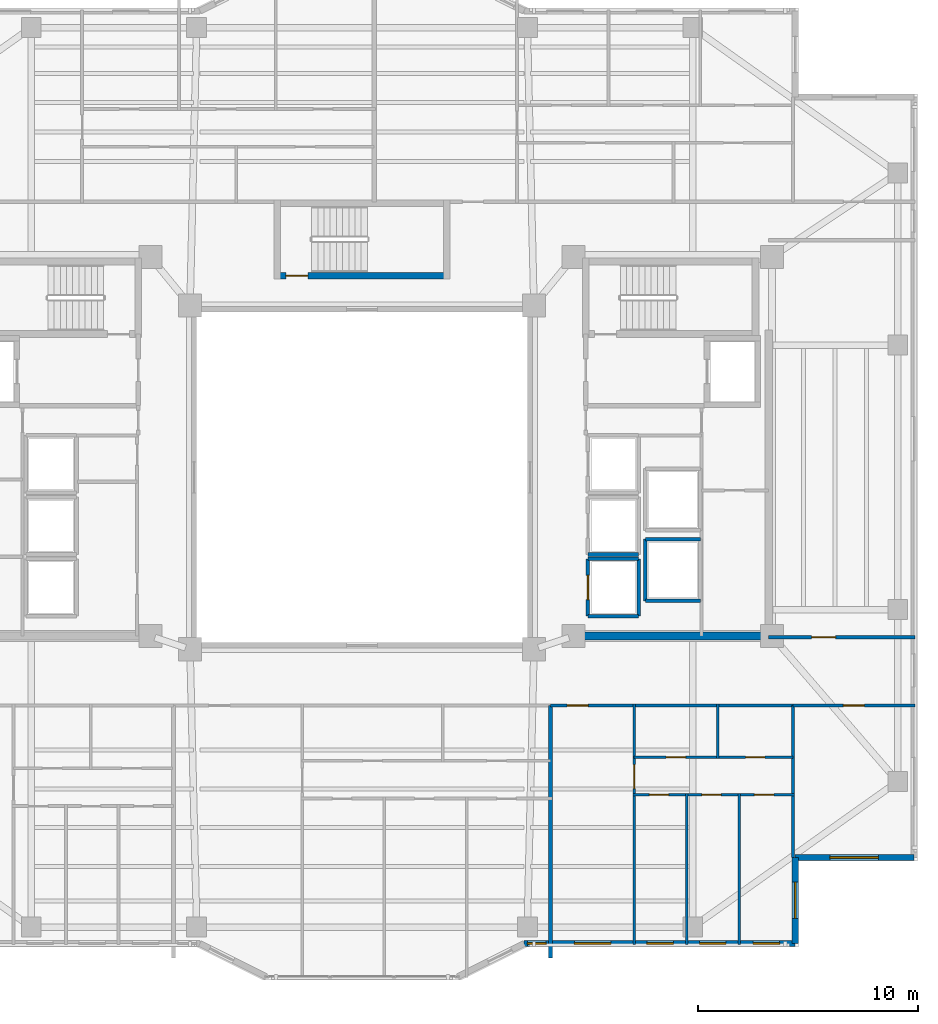
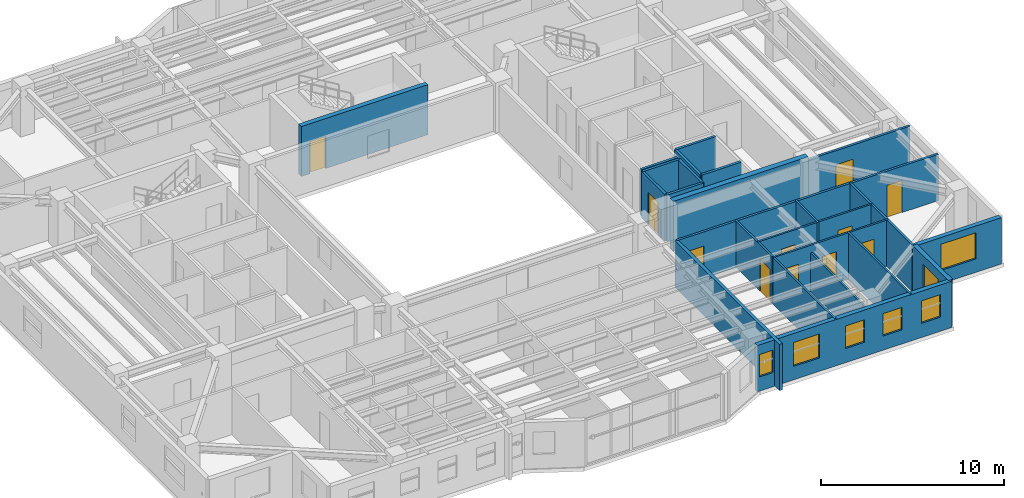
# One storey, part 8 of 16: 25 walls, 11 doors, 7 windows, 18 openings.
"""IFC4 building model written with IfcOpenShell, lengths in metres."""

import ifcopenshell
import ifcopenshell.guid

model = None  # the IFC model being written
_history = None  # IfcOwnerHistory: only IFC2X3 demands one
_inside = {}  # id of a spatial element -> (the spatial element, [elements in it])
_under = {}  # id of a project, library or spatial element -> (it, [spatial elements below it])
_declared = {}  # id of a project -> (the project, [libraries it declares])
_typed = {}  # id of a type object -> (the type object, [elements of that type])
_made_of = {}  # id of a material, layer set ... -> (it, [elements and type objects made of it])


def new_model(schema):
    """Start an empty IFC model of exactly this schema.

    Asked for "IFC4X3", IfcOpenShell would pick the latest addendum, in which some entities
    have other attributes; the version numbers below select the first issue.
    IFC2X3 requires an IfcOwnerHistory on every rooted entity: one is made here for all.
    """
    global model, _history
    if schema == "IFC4X3":
        model = ifcopenshell.file(schema_version=(4, 3, 0, 0))
    else:
        model = ifcopenshell.file(schema=schema)
    _inside.clear()
    _under.clear()
    _declared.clear()
    _typed.clear()
    _made_of.clear()
    _history = None
    if model.schema == "IFC2X3":
        org = make("IfcOrganization", Name="unknown")
        user = make(
            "IfcPersonAndOrganization",
            ThePerson=make("IfcPerson", FamilyName="unknown"),
            TheOrganization=org,
        )
        app = make(
            "IfcApplication",
            ApplicationDeveloper=org,
            Version="unknown",
            ApplicationFullName="unknown",
            ApplicationIdentifier="unknown",
        )
        _history = make(
            "IfcOwnerHistory",
            OwningUser=user,
            OwningApplication=app,
            ChangeAction="ADDED",
            CreationDate=0,
        )
    return model


def make(cls, **values):
    """One entity of the class cls with the attributes given. An attribute that is None is left unset."""
    return model.create_entity(
        cls, **{name: value for name, value in values.items() if value is not None}
    )


def rooted(cls, **values):
    """An entity with a GlobalId (a new one), such as an element, a storey or a relation."""
    return make(cls, GlobalId=ifcopenshell.guid.new(), OwnerHistory=_history, **values)


def si_unit(unit_type, name, prefix=None):
    """IfcSIUnit, for example si_unit("LENGTHUNIT", "METRE", prefix="MILLI")."""
    return make("IfcSIUnit", UnitType=unit_type, Prefix=prefix, Name=name)


def assignment(units):
    """IfcUnitAssignment: the units of a project."""
    return None if units is None else make("IfcUnitAssignment", Units=units)


def point(xyz):
    """IfcCartesianPoint."""
    return None if xyz is None else make("IfcCartesianPoint", Coordinates=xyz)


def direction(xyz):
    """IfcDirection."""
    return None if xyz is None else make("IfcDirection", DirectionRatios=xyz)


def frame(location, z_axis=None, x_axis=None):
    """IfcAxis2Placement3D, a coordinate frame: its origin and axes. An axis left out is left unset."""
    return make(
        "IfcAxis2Placement3D",
        Location=point(location),
        Axis=direction(z_axis),
        RefDirection=direction(x_axis),
    )


def frame_2d(location, x_axis=None):
    """IfcAxis2Placement2D, a coordinate frame in the plane: its origin and x axis."""
    return make(
        "IfcAxis2Placement2D", Location=point(location), RefDirection=direction(x_axis)
    )


def origin():
    """The frame at (0, 0, 0) with its axes left unset."""
    return frame((0.0, 0.0, 0.0))


def place(relative_to, where):
    """IfcLocalPlacement: puts the frame where relative to a parent placement (None: the world)."""
    return make(
        "IfcLocalPlacement", PlacementRelTo=relative_to, RelativePlacement=where
    )


def context(
    kind, dimensions, precision=None, world=None, true_north=None, identifier=None
):
    """IfcGeometricRepresentationContext, for example the 3D "Model" context."""
    return make(
        "IfcGeometricRepresentationContext",
        ContextIdentifier=identifier,
        ContextType=kind,
        CoordinateSpaceDimension=dimensions,
        Precision=precision,
        WorldCoordinateSystem=world,
        TrueNorth=true_north,
    )


def subcontext(parent, identifier, kind, view, scale=None):
    """IfcGeometricRepresentationSubContext, for example "Body" below "Model"."""
    return make(
        "IfcGeometricRepresentationSubContext",
        ContextIdentifier=identifier,
        ContextType=kind,
        ParentContext=parent,
        TargetScale=scale,
        TargetView=view,
    )


def project(units=None, contexts=None):
    """IfcProject with its units and contexts."""
    return rooted(
        "IfcProject",
        Name="project",
        RepresentationContexts=contexts,
        UnitsInContext=assignment(units),
    )


def spatial(cls, under=None, at=None, **own):
    """A site, building, storey or space (cls), placed at a placement, below another one or the project."""
    s = rooted(cls, ObjectPlacement=at, **own)
    if under is not None:
        _under.setdefault(under.id(), (under, []))[1].append(s)
    return s


def profile(cls, at=None, kind="AREA", **sizes):
    """A parametric profile (cls). Its sizes go by their IFC names, for example OverallWidth=200.0."""
    return make(cls, ProfileType=kind, Position=at, **sizes)


def rectangle(**sizes):
    """IfcRectangleProfileDef."""
    return profile("IfcRectangleProfileDef", **sizes)


def extrude(swept, where, along, depth):
    """IfcExtrudedAreaSolid: the profile swept, set in the frame where, extruded along a direction by depth."""
    return make(
        "IfcExtrudedAreaSolid",
        SweptArea=swept,
        Position=where,
        ExtrudedDirection=direction(along),
        Depth=depth,
    )


def shape(context_of_items, identifier, shape_type, items):
    """IfcShapeRepresentation: the items that make up one representation, for example the "Body"."""
    return make(
        "IfcShapeRepresentation",
        ContextOfItems=context_of_items,
        RepresentationIdentifier=identifier,
        RepresentationType=shape_type,
        Items=items,
    )


def material(Name=None, Category=None):
    """IfcMaterial."""
    return make("IfcMaterial", Name=Name, Category=Category)


def layer(
    of_material, thickness, ventilated=None, Name=None, Category=None, Priority=None
):
    """IfcMaterialLayer: one layer of a wall or slab, of a material (None: an air gap)."""
    return make(
        "IfcMaterialLayer",
        Material=of_material,
        LayerThickness=thickness,
        IsVentilated=ventilated,
        Name=Name,
        Category=Category,
        Priority=Priority,
    )


def layer_set(layers, Name=None):
    """IfcMaterialLayerSet."""
    return make("IfcMaterialLayerSet", MaterialLayers=layers, LayerSetName=Name)


def made_of(thing, what):
    """Note that an element or type object is made of a material, layer set ...; save() writes the relation."""
    if what is not None:
        _made_of.setdefault(what.id(), (what, []))[1].append(thing)
    return thing


def type_object(cls, material=None, **own):
    """A type object (cls), such as IfcWallType, which elements share."""
    return made_of(rooted(cls, **own), material)


def element(
    cls,
    number,
    at=None,
    inside=None,
    cuts=None,
    type_object=None,
    material=None,
    context=None,
    identifier="Body",
    shape_type=None,
    held_by="IfcProductDefinitionShape",
    body=None,
    shapes=None,
    **own,
):
    """One element of the class cls, such as IfcWall. Its Tag is "e" and its number.

    at: its placement. inside: the storey or other place that contains it. cuts: it is an
    opening in that element (IfcRelVoidsElement). A single representation is given by context,
    identifier, shape_type and body (its items); several are given by shapes. held_by: the class
    of the entity that holds the representations. save() writes the other relations.
    """
    e = rooted(cls, Tag="e%d" % number, ObjectPlacement=at, **own)
    if body is not None:
        shapes = [shape(context, identifier, shape_type, body)]
    if shapes is not None:
        e.Representation = make(held_by, Representations=shapes)
    if inside is not None:
        _inside.setdefault(inside.id(), (inside, []))[1].append(e)
    if cuts is not None:
        rooted(
            "IfcRelVoidsElement", RelatingBuildingElement=cuts, RelatedOpeningElement=e
        )
    if type_object is not None:
        _typed.setdefault(type_object.id(), (type_object, []))[1].append(e)
    return made_of(e, material)


def fill(opening, filler):
    """IfcRelFillsElement: the door or window that sits in an opening."""
    return rooted(
        "IfcRelFillsElement",
        RelatingOpeningElement=opening,
        RelatedBuildingElement=filler,
    )


def aggregate(whole, parts):
    """IfcRelAggregates: a whole, such as a stair, and the parts it consists of."""
    return rooted("IfcRelAggregates", RelatingObject=whole, RelatedObjects=parts)


def save(model, path):
    """Write the relations noted so far, then the file.

    IfcRelAggregates (storeys below a building ...), IfcRelContainedInSpatialStructure (elements
    in a storey), IfcRelDefinesByType, IfcRelAssociatesMaterial and IfcRelDeclares: one each for
    every whole, place, type object, material and project.
    """
    for whole, parts in _under.values():
        aggregate(whole, parts)
    for where, things in _inside.values():
        rooted(
            "IfcRelContainedInSpatialStructure",
            RelatedElements=things,
            RelatingStructure=where,
        )
    for kind, things in _typed.values():
        rooted("IfcRelDefinesByType", RelatedObjects=things, RelatingType=kind)
    for what, things in _made_of.values():
        rooted("IfcRelAssociatesMaterial", RelatedObjects=things, RelatingMaterial=what)
    for by, libraries in _declared.values():
        rooted("IfcRelDeclares", RelatingContext=by, RelatedDefinitions=libraries)
    model.write(path)


model = new_model("IFC4")

# Units and contexts
model_context = context("Model", 3, precision=1e-05, world=origin(), true_north=direction((0.0, 1.0)))
body_context = subcontext(model_context, "Body", "Model", "MODEL_VIEW")
ifc_project = project(units=[si_unit("LENGTHUNIT", "METRE"), si_unit("AREAUNIT", "SQUARE_METRE"), si_unit("VOLUMEUNIT", "CUBIC_METRE"), si_unit("PLANEANGLEUNIT", "RADIAN"), si_unit("MASSUNIT", "GRAM", prefix="KILO")], contexts=[model_context])

# Site, building, storey
site_placement = place(None, origin())
site = spatial("IfcSite", under=ifc_project, at=site_placement, CompositionType="ELEMENT")
building_placement = place(site_placement, origin())
building = spatial("IfcBuilding", under=site, at=building_placement, Name="Tarnavaz Court Tower", CompositionType="ELEMENT")
storey_placement = place(building_placement, frame((0.0, 0.0, 149.35009765625)))
storey = spatial("IfcBuildingStorey", under=building, at=storey_placement, Name="L40", CompositionType="ELEMENT", Elevation=149.35009765625)

# Wall, opening, door
ifc_material_1 = material(Name="Concrete C50/60", Category="concrete")
ifc_layer_1 = layer(ifc_material_1, 0.300048828125)
ifc_layer_set_1 = layer_set([ifc_layer_1], Name="Concrete C50/60")
wall_type_1 = type_object("IfcWallType", Name="WL-CORE-300-C50", PredefinedType="SHEAR", material=ifc_layer_set_1)
wall_1_placement = place(storey_placement, frame((-4.0, 9.14990234375, 0.0), z_axis=(0.0, 0.0, 1.0), x_axis=(1.0, 0.0, 0.0)))
wall_1 = element("IfcWall", 1, at=wall_1_placement, inside=storey, type_object=wall_type_1, Name="L40 North Stair Core Wall 010", PredefinedType="SHEAR", context=body_context, shape_type="SweptSolid", body=[
    extrude(rectangle(XDim=8.0, YDim=0.300048828125, at=frame_2d((4.0, 0.0))), origin(), (0.0, 0.0, 1.0), 3.349853515625),
])
opening_1_placement = place(wall_1_placement, frame((0.550048828125, 0.0, 0.0)))
opening_1 = element("IfcOpeningElement", 2, at=opening_1_placement, cuts=wall_1, Name="Opening D01", PredefinedType="OPENING", context=body_context, shape_type="SweptSolid", body=[
    extrude(rectangle(XDim=1.0, YDim=2.14990234375, at=frame_2d((0.5, 1.074951171875))), frame((0.0, 0.159912109375, 0.0), z_axis=(0.0, -1.0, 0.0), x_axis=(1.0, 0.0, 0.0)), (0.0, 0.0, 1.0), 0.320068359375),
])
ifc_material_2 = material(Name="Fire-Rated Hardwood Timber Core", Category="wood")
door_type_1 = type_object("IfcDoorType", Name="DR-FD90-1000", OperationType="NOTDEFINED", PredefinedType="DOOR", material=ifc_material_2)
door_1_placement = place(opening_1_placement, origin())
door_1 = element("IfcDoor", 3, at=door_1_placement, inside=storey, type_object=door_type_1, Name="L40 Stair ST-N1 Exit Door", OperationType="SINGLE_SWING_LEFT", OverallHeight=2.14990234375, OverallWidth=1.0, PredefinedType="DOOR", context=body_context, shape_type="SweptSolid", body=[
    extrude(rectangle(XDim=1.0, YDim=2.14990234375, at=frame_2d((0.5, 1.074951171875))), frame((0.0, 0.02490234375, 0.0), z_axis=(0.0, -1.0, 0.0), x_axis=(1.0, 0.0, 0.0)), (0.0, 0.0, 1.0), 0.050048828125),
])
fill(opening_1, door_1)

# Wall
ifc_layer_2 = layer(ifc_material_1, 0.35009765625)
ifc_layer_set_2 = layer_set([ifc_layer_2], Name="Concrete C50/60")
wall_type_2 = type_object("IfcWallType", Name="WL-CORE-350-C50", PredefinedType="SHEAR", material=ifc_layer_set_2)
wall_2_placement = place(storey_placement, frame((10.074951171875, -7.199951171875, 0.0), z_axis=(0.0, 0.0, 1.0), x_axis=(1.0, 0.0, 0.0)))
element("IfcWall", 4, at=wall_2_placement, inside=storey, type_object=wall_type_2, Name="L40 East Core South Shear Wall 060", PredefinedType="SHEAR", context=body_context, shape_type="SweptSolid", body=[
    extrude(rectangle(XDim=8.550048828125, YDim=0.35009765625, at=frame_2d((4.27490234375, 0.0))), origin(), (0.0, 0.0, 1.0), 3.349853515625),
])

# Wall, opening, window
ifc_material_3 = material(Name="Precast Concrete C40/50", Category="concrete")
ifc_layer_3 = layer(ifc_material_3, 0.280029296875)
ifc_layer_set_3 = layer_set([ifc_layer_3], Name="Precast Concrete C40/50")
wall_type_3 = type_object("IfcWallType", Name="WL-EXT-280", PredefinedType="SOLIDWALL", material=ifc_layer_set_3)
wall_3_placement = place(storey_placement, frame((25.050048828125, -17.25, 0.0), z_axis=(0.0, 0.0, 1.0), x_axis=(-1.0, 0.0, 0.0)))
wall_3 = element("IfcWall", 5, at=wall_3_placement, inside=storey, type_object=wall_type_3, Name="L40 Exterior Terracotta Facade Wall 13", PredefinedType="SOLIDWALL", context=body_context, shape_type="SweptSolid", body=[
    extrude(rectangle(XDim=5.400146484375, YDim=0.280029296875, at=frame_2d((2.7001953125, 0.0))), origin(), (0.0, 0.0, 1.0), 3.099853515625),
])
opening_2_placement = place(wall_3_placement, frame((1.625, 0.0, 0.89990234375)))
opening_2 = element("IfcOpeningElement", 6, at=opening_2_placement, cuts=wall_3, Name="Opening W07", PredefinedType="OPENING", context=body_context, shape_type="SweptSolid", body=[
    extrude(rectangle(XDim=2.199951171875, YDim=1.75, at=frame_2d((1.10009765625, 0.875))), frame((0.0, 0.14990234375, 0.0), z_axis=(0.0, -1.0, 0.0), x_axis=(1.0, 0.0, 0.0)), (0.0, 0.0, 1.0), 0.300048828125),
])
ifc_material_4 = material(Name="Double-Glazed Solar Low-E Glass", Category="glass")
window_type_1 = type_object("IfcWindowType", Name="WN-APT-2200", PartitioningType="TRIPLE_PANEL_VERTICAL", PredefinedType="WINDOW", material=ifc_material_4)
window_1_placement = place(opening_2_placement, origin())
window_1 = element("IfcWindow", 7, at=window_1_placement, inside=storey, type_object=window_type_1, Name="L40 South-East Corner Reading Room Window", OverallHeight=1.75, OverallWidth=2.199951171875, PartitioningType="SINGLE_PANEL", PredefinedType="WINDOW", context=body_context, shape_type="SweptSolid", body=[
    extrude(rectangle(XDim=2.199951171875, YDim=1.75, at=frame_2d((1.10009765625, 0.875))), frame((0.0, 0.030029296875, 0.0), z_axis=(0.0, -1.0, 0.0), x_axis=(1.0, 0.0, 0.0)), (0.0, 0.0, 1.0), 0.06005859375),
])
fill(opening_2, window_1)

wall_4_placement = place(storey_placement, frame((19.64990234375, -17.25, 0.0), z_axis=(0.0, 0.0, 1.0), x_axis=(0.0, -1.0, 0.0)))
wall_4 = element("IfcWall", 8, at=wall_4_placement, inside=storey, type_object=wall_type_3, Name="L40 Exterior Terracotta Facade Wall 14", PredefinedType="SOLIDWALL", context=body_context, shape_type="SweptSolid", body=[
    extrude(rectangle(XDim=3.89990234375, YDim=0.280029296875, at=frame_2d((1.949951171875, 0.0))), origin(), (0.0, 0.0, 1.0), 3.099853515625),
])
opening_3_placement = place(wall_4_placement, frame((1.107177734375, 0.0, 0.89990234375)))
opening_3 = element("IfcOpeningElement", 9, at=opening_3_placement, cuts=wall_4, Name="Opening W02", PredefinedType="OPENING", context=body_context, shape_type="SweptSolid", body=[
    extrude(rectangle(XDim=1.64990234375, YDim=1.60009765625, at=frame_2d((0.824951171875, 0.800048828125))), frame((0.0, 0.14990234375, 0.0), z_axis=(0.0, -1.0, 0.0), x_axis=(1.0, 0.0, 0.0)), (0.0, 0.0, 1.0), 0.300048828125),
])
window_type_2 = type_object("IfcWindowType", Name="WN-APT-1650", PartitioningType="DOUBLE_PANEL_VERTICAL", PredefinedType="WINDOW", material=ifc_material_4)
window_2_placement = place(opening_3_placement, origin())
window_2 = element("IfcWindow", 10, at=window_2_placement, inside=storey, type_object=window_type_2, Name="L40 Flat 04 Bedroom 3 Window", OverallHeight=1.60009765625, OverallWidth=1.64990234375, PartitioningType="SINGLE_PANEL", PredefinedType="WINDOW", context=body_context, shape_type="SweptSolid", body=[
    extrude(rectangle(XDim=1.64990234375, YDim=1.60009765625, at=frame_2d((0.824951171875, 0.800048828125))), frame((0.0, 0.030029296875, 0.0), z_axis=(0.0, -1.0, 0.0), x_axis=(1.0, 0.0, 0.0)), (0.0, 0.0, 1.0), 0.06005859375),
])
fill(opening_3, window_2)

# Wall, openings, windows
wall_5_placement = place(storey_placement, frame((19.64990234375, -21.14990234375, 0.0), z_axis=(0.0, 0.0, 1.0), x_axis=(-1.0, 0.0, 0.0)))
wall_5 = element("IfcWall", 11, at=wall_5_placement, inside=storey, type_object=wall_type_3, Name="L40 Exterior Terracotta Facade Wall 15", PredefinedType="SOLIDWALL", context=body_context, shape_type="SweptSolid", body=[
    extrude(rectangle(XDim=12.2998046875, YDim=0.280029296875, at=frame_2d((6.14990234375, 0.0))), origin(), (0.0, 0.0, 1.0), 3.099853515625),
])
opening_4_placement = place(wall_5_placement, frame((0.705322265625, 0.0, 0.949951171875)))
opening_4 = element("IfcOpeningElement", 12, at=opening_4_placement, cuts=wall_5, Name="Opening W05", PredefinedType="OPENING", context=body_context, shape_type="SweptSolid", body=[
    extrude(rectangle(XDim=1.199951171875, YDim=1.5, at=frame_2d((0.60009765625, 0.75))), frame((0.0, 0.14990234375, 0.0), z_axis=(0.0, -1.0, 0.0), x_axis=(1.0, 0.0, 0.0)), (0.0, 0.0, 1.0), 0.300048828125),
])
opening_5_placement = place(wall_5_placement, frame((3.14013671875, 0.0, 0.949951171875)))
opening_5 = element("IfcOpeningElement", 13, at=opening_5_placement, cuts=wall_5, Name="Opening W05", PredefinedType="OPENING", context=body_context, shape_type="SweptSolid", body=[
    extrude(rectangle(XDim=1.199951171875, YDim=1.5, at=frame_2d((0.60009765625, 0.75))), frame((0.0, 0.14990234375, 0.0), z_axis=(0.0, -1.0, 0.0), x_axis=(1.0, 0.0, 0.0)), (0.0, 0.0, 1.0), 0.300048828125),
])
opening_6_placement = place(wall_5_placement, frame((5.52490234375, 0.0, 0.949951171875)))
opening_6 = element("IfcOpeningElement", 14, at=opening_6_placement, cuts=wall_5, Name="Opening W05", PredefinedType="OPENING", context=body_context, shape_type="SweptSolid", body=[
    extrude(rectangle(XDim=1.199951171875, YDim=1.5, at=frame_2d((0.60009765625, 0.75))), frame((0.0, 0.14990234375, 0.0), z_axis=(0.0, -1.0, 0.0), x_axis=(1.0, 0.0, 0.0)), (0.0, 0.0, 1.0), 0.300048828125),
])
opening_7_placement = place(wall_5_placement, frame((8.3623046875, 0.0, 0.89990234375)))
opening_7 = element("IfcOpeningElement", 15, at=opening_7_placement, cuts=wall_5, Name="Opening W02", PredefinedType="OPENING", context=body_context, shape_type="SweptSolid", body=[
    extrude(rectangle(XDim=1.64990234375, YDim=1.60009765625, at=frame_2d((0.824951171875, 0.800048828125))), frame((0.0, 0.14990234375, 0.0), z_axis=(0.0, -1.0, 0.0), x_axis=(1.0, 0.0, 0.0)), (0.0, 0.0, 1.0), 0.300048828125),
])
opening_8_placement = place(wall_5_placement, frame((11.302978515625, 0.0, 0.949951171875)))
opening_8 = element("IfcOpeningElement", 16, at=opening_8_placement, cuts=wall_5, Name="Opening W15", PredefinedType="OPENING", context=body_context, shape_type="SweptSolid", body=[
    extrude(rectangle(XDim=0.85009765625, YDim=1.5, at=frame_2d((0.425048828125, 0.75))), frame((0.0, 0.14990234375, 0.0), z_axis=(0.0, -1.0, 0.0), x_axis=(1.0, 0.0, 0.0)), (0.0, 0.0, 1.0), 0.300048828125),
])
window_type_3 = type_object("IfcWindowType", Name="WN-APT-1200", PartitioningType="SINGLE_PANEL", PredefinedType="WINDOW", material=ifc_material_4)
window_3_placement = place(opening_4_placement, origin())
window_3 = element("IfcWindow", 17, at=window_3_placement, inside=storey, type_object=window_type_3, Name="L40 Flat 04 Bedroom 3 Window", OverallHeight=1.5, OverallWidth=1.199951171875, PartitioningType="SINGLE_PANEL", PredefinedType="WINDOW", context=body_context, shape_type="SweptSolid", body=[
    extrude(rectangle(XDim=1.199951171875, YDim=1.5, at=frame_2d((0.60009765625, 0.75))), frame((0.0, 0.030029296875, 0.0), z_axis=(0.0, -1.0, 0.0), x_axis=(1.0, 0.0, 0.0)), (0.0, 0.0, 1.0), 0.06005859375),
])
fill(opening_4, window_3)
window_4_placement = place(opening_5_placement, origin())
window_4 = element("IfcWindow", 18, at=window_4_placement, inside=storey, type_object=window_type_3, Name="L40 Flat 04 Bedroom 2 Window", OverallHeight=1.5, OverallWidth=1.199951171875, PartitioningType="SINGLE_PANEL", PredefinedType="WINDOW", context=body_context, shape_type="SweptSolid", body=[
    extrude(rectangle(XDim=1.199951171875, YDim=1.5, at=frame_2d((0.60009765625, 0.75))), frame((0.0, 0.030029296875, 0.0), z_axis=(0.0, -1.0, 0.0), x_axis=(1.0, 0.0, 0.0)), (0.0, 0.0, 1.0), 0.06005859375),
])
fill(opening_5, window_4)
window_5_placement = place(opening_6_placement, origin())
window_5 = element("IfcWindow", 19, at=window_5_placement, inside=storey, type_object=window_type_3, Name="L40 Flat 04 Principal Bedroom Window", OverallHeight=1.5, OverallWidth=1.199951171875, PartitioningType="SINGLE_PANEL", PredefinedType="WINDOW", context=body_context, shape_type="SweptSolid", body=[
    extrude(rectangle(XDim=1.199951171875, YDim=1.5, at=frame_2d((0.60009765625, 0.75))), frame((0.0, 0.030029296875, 0.0), z_axis=(0.0, -1.0, 0.0), x_axis=(1.0, 0.0, 0.0)), (0.0, 0.0, 1.0), 0.06005859375),
])
fill(opening_6, window_5)
window_6_placement = place(opening_7_placement, origin())
window_6 = element("IfcWindow", 20, at=window_6_placement, inside=storey, type_object=window_type_2, Name="L40 Flat 04 Living and Dining Room Window", OverallHeight=1.60009765625, OverallWidth=1.64990234375, PartitioningType="SINGLE_PANEL", PredefinedType="WINDOW", context=body_context, shape_type="SweptSolid", body=[
    extrude(rectangle(XDim=1.64990234375, YDim=1.60009765625, at=frame_2d((0.824951171875, 0.800048828125))), frame((0.0, 0.030029296875, 0.0), z_axis=(0.0, -1.0, 0.0), x_axis=(1.0, 0.0, 0.0)), (0.0, 0.0, 1.0), 0.06005859375),
])
fill(opening_7, window_6)
window_type_4 = type_object("IfcWindowType", Name="WN-APT-850", PartitioningType="SINGLE_PANEL", PredefinedType="WINDOW", material=ifc_material_4)
window_7_placement = place(opening_8_placement, origin())
window_7 = element("IfcWindow", 21, at=window_7_placement, inside=storey, type_object=window_type_4, Name="L40 Flat 05 Bedroom 3 Window", OverallHeight=1.5, OverallWidth=0.85009765625, PartitioningType="SINGLE_PANEL", PredefinedType="WINDOW", context=body_context, shape_type="SweptSolid", body=[
    extrude(rectangle(XDim=0.85009765625, YDim=1.5, at=frame_2d((0.425048828125, 0.75))), frame((0.0, 0.030029296875, 0.0), z_axis=(0.0, -1.0, 0.0), x_axis=(1.0, 0.0, 0.0)), (0.0, 0.0, 1.0), 0.06005859375),
])
fill(opening_8, window_7)

# Wall, opening, door
ifc_material_5 = material(Name="Gypsum Fire-Board on Acoustic Metal Stud", Category="masonry")
ifc_layer_4 = layer(ifc_material_5, 0.14990234375)
ifc_layer_set_4 = layer_set([ifc_layer_4], Name="Gypsum Fire-Board on Acoustic Metal Stud")
wall_type_4 = type_object("IfcWallType", Name="WL-FIRE-150", PredefinedType="PARTITIONING", material=ifc_layer_set_4)
wall_6_placement = place(storey_placement, frame((8.550048828125, -10.35009765625, 0.0), z_axis=(0.0, 0.0, 1.0), x_axis=(1.0, 0.0, 0.0)))
wall_6 = element("IfcWall", 22, at=wall_6_placement, inside=storey, type_object=wall_type_4, Name="L40 SE Horseshoe Wall 075", PredefinedType="PARTITIONING", context=body_context, shape_type="SweptSolid", body=[
    extrude(rectangle(XDim=11.0, YDim=0.14990234375, at=frame_2d((5.5, 0.0))), origin(), (0.0, 0.0, 1.0), 3.099853515625),
])
opening_9_placement = place(wall_6_placement, frame((0.75, 0.0, 0.0)))
opening_9 = element("IfcOpeningElement", 23, at=opening_9_placement, cuts=wall_6, Name="Opening D06", PredefinedType="OPENING", context=body_context, shape_type="SweptSolid", body=[
    extrude(rectangle(XDim=0.9599609375, YDim=2.14990234375, at=frame_2d((0.47998046875, 1.074951171875))), frame((0.0, 0.0849609375, 0.0), z_axis=(0.0, -1.0, 0.0), x_axis=(1.0, 0.0, 0.0)), (0.0, 0.0, 1.0), 0.169921875),
])
door_type_2 = type_object("IfcDoorType", Name="DR-FD60-950", OperationType="NOTDEFINED", PredefinedType="DOOR", material=ifc_material_2)
door_2_placement = place(opening_9_placement, origin())
door_2 = element("IfcDoor", 24, at=door_2_placement, inside=storey, type_object=door_type_2, Name="L40 Flat 04 Entrance Door", OperationType="SINGLE_SWING_LEFT", OverallHeight=2.14990234375, OverallWidth=0.9599609375, PredefinedType="DOOR", context=body_context, shape_type="SweptSolid", body=[
    extrude(rectangle(XDim=0.9599609375, YDim=2.14990234375, at=frame_2d((0.47998046875, 1.074951171875))), frame((0.0, 0.02490234375, 0.0), z_axis=(0.0, -1.0, 0.0), x_axis=(1.0, 0.0, 0.0)), (0.0, 0.0, 1.0), 0.050048828125),
])
fill(opening_9, door_2)

wall_7_placement = place(storey_placement, frame((18.449951171875, -7.25, 0.0), z_axis=(0.0, 0.0, 1.0), x_axis=(1.0, 0.0, 0.0)))
wall_7 = element("IfcWall", 25, at=wall_7_placement, inside=storey, type_object=wall_type_4, Name="L40 Interior Partition 117", PredefinedType="PARTITIONING", context=body_context, shape_type="SweptSolid", body=[
    extrude(rectangle(XDim=6.630126953125, YDim=0.14990234375, at=frame_2d((3.31494140625, 0.0))), origin(), (0.0, 0.0, 1.0), 3.099853515625),
])
opening_10_placement = place(wall_7_placement, frame((1.949951171875, 0.0, 0.0)))
opening_10 = element("IfcOpeningElement", 26, at=opening_10_placement, cuts=wall_7, Name="Opening D12", PredefinedType="OPENING", context=body_context, shape_type="SweptSolid", body=[
    extrude(rectangle(XDim=1.080078125, YDim=2.14990234375, at=frame_2d((0.5400390625, 1.074951171875))), frame((0.0, 0.0849609375, 0.0), z_axis=(0.0, -1.0, 0.0), x_axis=(1.0, 0.0, 0.0)), (0.0, 0.0, 1.0), 0.169921875),
])
ifc_material_6 = material(Name="Engineered Oak Timber", Category="wood")
door_type_3 = type_object("IfcDoorType", Name="DR-INT-1100", OperationType="NOTDEFINED", PredefinedType="DOOR", material=ifc_material_6)
door_3_placement = place(opening_10_placement, origin())
door_3 = element("IfcDoor", 27, at=door_3_placement, inside=storey, type_object=door_type_3, Name="L40 East Fitness Lounge Door", OperationType="SINGLE_SWING_RIGHT", OverallHeight=2.14990234375, OverallWidth=1.080078125, PredefinedType="DOOR", context=body_context, shape_type="SweptSolid", body=[
    extrude(rectangle(XDim=1.080078125, YDim=2.14990234375, at=frame_2d((0.5400390625, 1.074951171875))), frame((0.0, 0.02490234375, 0.0), z_axis=(0.0, -1.0, 0.0), x_axis=(1.0, 0.0, 0.0)), (0.0, 0.0, 1.0), 0.050048828125),
])
fill(opening_10, door_3)

wall_8_placement = place(storey_placement, frame((19.550048828125, -10.35009765625, 0.0), z_axis=(0.0, 0.0, 1.0), x_axis=(1.0, 0.0, 0.0)))
wall_8 = element("IfcWall", 28, at=wall_8_placement, inside=storey, type_object=wall_type_4, Name="L40 Interior Partition 126", PredefinedType="PARTITIONING", context=body_context, shape_type="SweptSolid", body=[
    extrude(rectangle(XDim=5.530029296875, YDim=0.14990234375, at=frame_2d((2.76513671875, 0.0))), origin(), (0.0, 0.0, 1.0), 3.099853515625),
])
opening_11_placement = place(wall_8_placement, frame((2.2900390625, 0.0, 0.0)))
opening_11 = element("IfcOpeningElement", 29, at=opening_11_placement, cuts=wall_8, Name="Opening D13", PredefinedType="OPENING", context=body_context, shape_type="SweptSolid", body=[
    extrude(rectangle(XDim=0.949951171875, YDim=2.14990234375, at=frame_2d((0.47509765625, 1.074951171875))), frame((0.0, 0.0849609375, 0.0), z_axis=(0.0, -1.0, 0.0), x_axis=(1.0, 0.0, 0.0)), (0.0, 0.0, 1.0), 0.169921875),
])
door_type_4 = type_object("IfcDoorType", Name="DR-INT-950", OperationType="NOTDEFINED", PredefinedType="DOOR", material=ifc_material_6)
door_4_placement = place(opening_11_placement, origin())
door_4 = element("IfcDoor", 30, at=door_4_placement, inside=storey, type_object=door_type_4, Name="L40 SE Reading Room Door", OperationType="SINGLE_SWING_RIGHT", OverallHeight=2.14990234375, OverallWidth=0.949951171875, PredefinedType="DOOR", context=body_context, shape_type="SweptSolid", body=[
    extrude(rectangle(XDim=0.949951171875, YDim=2.14990234375, at=frame_2d((0.47509765625, 1.074951171875))), frame((0.0, 0.02490234375, 0.0), z_axis=(0.0, -1.0, 0.0), x_axis=(1.0, 0.0, 0.0)), (0.0, 0.0, 1.0), 0.050048828125),
])
fill(opening_11, door_4)

# Wall
ifc_material_7 = material(Name="Autoclaved Aerated Concrete Blockwork", Category="masonry")
ifc_layer_5 = layer(ifc_material_7, 0.199951171875)
ifc_layer_set_5 = layer_set([ifc_layer_5], Name="Autoclaved Aerated Concrete Blockwork")
wall_type_5 = type_object("IfcWallType", Name="WL-FIRE-200", PredefinedType="SOLIDWALL", material=ifc_layer_set_5)
wall_9_placement = place(storey_placement, frame((8.550048828125, -21.803955078125, 0.0), z_axis=(0.0, 0.0, 1.0), x_axis=(0.0, 1.0, 0.0)))
element("IfcWall", 31, at=wall_9_placement, inside=storey, type_object=wall_type_5, Name="L40 Party Wall 106", PredefinedType="SOLIDWALL", context=body_context, shape_type="SweptSolid", body=[
    extrude(rectangle(XDim=11.453857421875, YDim=0.199951171875, at=frame_2d((5.72705078125, 0.0))), origin(), (0.0, 0.0, 1.0), 3.099853515625),
])

# Wall, opening, door
ifc_material_8 = material(Name="Moisture-Resistant Gypsum Board Partition", Category="masonry")
ifc_layer_6 = layer(ifc_material_8, 0.1201171875)
ifc_layer_set_6 = layer_set([ifc_layer_6], Name="Moisture-Resistant Gypsum Board Partition")
wall_type_6 = type_object("IfcWallType", Name="WL-PART-120", PredefinedType="PARTITIONING", material=ifc_layer_set_6)
wall_10_placement = place(storey_placement, frame((12.342041015625, -21.199951171875, 0.0), z_axis=(0.0, 0.0, 1.0), x_axis=(0.0, 1.0, 0.0)))
wall_10 = element("IfcWall", 32, at=wall_10_placement, inside=storey, type_object=wall_type_6, Name="L40 Interior Partition 098", PredefinedType="PARTITIONING", context=body_context, shape_type="SweptSolid", body=[
    extrude(rectangle(XDim=10.909912109375, YDim=0.1201171875, at=frame_2d((5.455078125, 0.0))), origin(), (0.0, 0.0, 1.0), 3.099853515625),
])
opening_12_placement = place(wall_10_placement, frame((7.0849609375, 0.0, 0.0)))
opening_12 = element("IfcOpeningElement", 33, at=opening_12_placement, cuts=wall_10, Name="Opening D12", PredefinedType="OPENING", context=body_context, shape_type="SweptSolid", body=[
    extrude(rectangle(XDim=1.080078125, YDim=2.14990234375, at=frame_2d((0.5400390625, 1.074951171875))), frame((0.0, 0.070068359375, 0.0), z_axis=(0.0, -1.0, 0.0), x_axis=(1.0, 0.0, 0.0)), (0.0, 0.0, 1.0), 0.14013671875),
])
door_5_placement = place(opening_12_placement, origin())
door_5 = element("IfcDoor", 34, at=door_5_placement, inside=storey, type_object=door_type_3, Name="L40 Flat 04 Foyer Door", OperationType="SINGLE_SWING_RIGHT", OverallHeight=2.14990234375, OverallWidth=1.080078125, PredefinedType="DOOR", context=body_context, shape_type="SweptSolid", body=[
    extrude(rectangle(XDim=1.080078125, YDim=2.14990234375, at=frame_2d((0.5400390625, 1.074951171875))), frame((0.0, 0.02490234375, 0.0), z_axis=(0.0, -1.0, 0.0), x_axis=(1.0, 0.0, 0.0)), (0.0, 0.0, 1.0), 0.050048828125),
])
fill(opening_12, door_5)

wall_11_placement = place(storey_placement, frame((12.342041015625, -12.68994140625, 0.0), z_axis=(0.0, 0.0, 1.0), x_axis=(1.0, 0.0, 0.0)))
wall_11 = element("IfcWall", 35, at=wall_11_placement, inside=storey, type_object=wall_type_6, Name="L40 Interior Partition 099", PredefinedType="PARTITIONING", context=body_context, shape_type="SweptSolid", body=[
    extrude(rectangle(XDim=3.787841796875, YDim=0.1201171875, at=frame_2d((1.89404296875, 0.0))), origin(), (0.0, 0.0, 1.0), 3.099853515625),
])
opening_13_placement = place(wall_11_placement, frame((1.4541015625, 0.0, 0.0)))
opening_13 = element("IfcOpeningElement", 36, at=opening_13_placement, cuts=wall_11, Name="Opening D14", PredefinedType="OPENING", context=body_context, shape_type="SweptSolid", body=[
    extrude(rectangle(XDim=0.8798828125, YDim=2.10009765625, at=frame_2d((0.43994140625, 1.050048828125))), frame((0.0, 0.070068359375, 0.0), z_axis=(0.0, -1.0, 0.0), x_axis=(1.0, 0.0, 0.0)), (0.0, 0.0, 1.0), 0.14013671875),
])
door_type_5 = type_object("IfcDoorType", Name="DR-INT-900", OperationType="NOTDEFINED", PredefinedType="DOOR", material=ifc_material_6)
door_6_placement = place(opening_13_placement, origin())
door_6 = element("IfcDoor", 37, at=door_6_placement, inside=storey, type_object=door_type_5, Name="L40 Flat 04 Kitchen Door", OperationType="SINGLE_SWING_LEFT", OverallHeight=2.10009765625, OverallWidth=0.8798828125, PredefinedType="DOOR", context=body_context, shape_type="SweptSolid", body=[
    extrude(rectangle(XDim=0.8798828125, YDim=2.10009765625, at=frame_2d((0.43994140625, 1.050048828125))), frame((0.0, 0.02490234375, 0.0), z_axis=(0.0, -1.0, 0.0), x_axis=(1.0, 0.0, 0.0)), (0.0, 0.0, 1.0), 0.050048828125),
])
fill(opening_13, door_6)

wall_12_placement = place(storey_placement, frame((16.1298828125, -12.68994140625, 0.0), z_axis=(0.0, 0.0, 1.0), x_axis=(1.0, 0.0, 0.0)))
wall_12 = element("IfcWall", 38, at=wall_12_placement, inside=storey, type_object=wall_type_6, Name="L40 Interior Partition 100", PredefinedType="PARTITIONING", context=body_context, shape_type="SweptSolid", body=[
    extrude(rectangle(XDim=3.420166015625, YDim=0.1201171875, at=frame_2d((1.7099609375, 0.0))), origin(), (0.0, 0.0, 1.0), 3.099853515625),
])
opening_14_placement = place(wall_12_placement, frame((1.27001953125, 0.0, 0.0)))
opening_14 = element("IfcOpeningElement", 39, at=opening_14_placement, cuts=wall_12, Name="Opening D14", PredefinedType="OPENING", context=body_context, shape_type="SweptSolid", body=[
    extrude(rectangle(XDim=0.8798828125, YDim=2.10009765625, at=frame_2d((0.43994140625, 1.050048828125))), frame((0.0, 0.070068359375, 0.0), z_axis=(0.0, -1.0, 0.0), x_axis=(1.0, 0.0, 0.0)), (0.0, 0.0, 1.0), 0.14013671875),
])
door_7_placement = place(opening_14_placement, origin())
door_7 = element("IfcDoor", 40, at=door_7_placement, inside=storey, type_object=door_type_5, Name="L40 Flat 04 Bathroom Door", OperationType="SINGLE_SWING_RIGHT", OverallHeight=2.10009765625, OverallWidth=0.8798828125, PredefinedType="DOOR", context=body_context, shape_type="SweptSolid", body=[
    extrude(rectangle(XDim=0.8798828125, YDim=2.10009765625, at=frame_2d((0.43994140625, 1.050048828125))), frame((0.0, 0.02490234375, 0.0), z_axis=(0.0, -1.0, 0.0), x_axis=(1.0, 0.0, 0.0)), (0.0, 0.0, 1.0), 0.050048828125),
])
fill(opening_14, door_7)

# Wall, openings, doors
wall_13_placement = place(storey_placement, frame((12.281982421875, -14.39990234375, 0.0), z_axis=(0.0, 0.0, 1.0), x_axis=(1.0, 0.0, 0.0)))
wall_13 = element("IfcWall", 41, at=wall_13_placement, inside=storey, type_object=wall_type_6, Name="L40 Interior Partition 101", PredefinedType="PARTITIONING", context=body_context, shape_type="SweptSolid", body=[
    extrude(rectangle(XDim=7.328125, YDim=0.1201171875, at=frame_2d((3.6640625, 0.0))), origin(), (0.0, 0.0, 1.0), 3.099853515625),
])
opening_15_placement = place(wall_13_placement, frame((0.7509765625, 0.0, 0.0)))
opening_15 = element("IfcOpeningElement", 42, at=opening_15_placement, cuts=wall_13, Name="Opening D14", PredefinedType="OPENING", context=body_context, shape_type="SweptSolid", body=[
    extrude(rectangle(XDim=0.8798828125, YDim=2.10009765625, at=frame_2d((0.43994140625, 1.050048828125))), frame((0.0, 0.070068359375, 0.0), z_axis=(0.0, -1.0, 0.0), x_axis=(1.0, 0.0, 0.0)), (0.0, 0.0, 1.0), 0.14013671875),
])
opening_16_placement = place(wall_13_placement, frame((3.134033203125, 0.0, 0.0)))
opening_16 = element("IfcOpeningElement", 43, at=opening_16_placement, cuts=wall_13, Name="Opening D14", PredefinedType="OPENING", context=body_context, shape_type="SweptSolid", body=[
    extrude(rectangle(XDim=0.8798828125, YDim=2.10009765625, at=frame_2d((0.43994140625, 1.050048828125))), frame((0.0, 0.070068359375, 0.0), z_axis=(0.0, -1.0, 0.0), x_axis=(1.0, 0.0, 0.0)), (0.0, 0.0, 1.0), 0.14013671875),
])
opening_17_placement = place(wall_13_placement, frame((5.51708984375, 0.0, 0.0)))
opening_17 = element("IfcOpeningElement", 44, at=opening_17_placement, cuts=wall_13, Name="Opening D14", PredefinedType="OPENING", context=body_context, shape_type="SweptSolid", body=[
    extrude(rectangle(XDim=0.8798828125, YDim=2.10009765625, at=frame_2d((0.43994140625, 1.050048828125))), frame((0.0, 0.070068359375, 0.0), z_axis=(0.0, -1.0, 0.0), x_axis=(1.0, 0.0, 0.0)), (0.0, 0.0, 1.0), 0.14013671875),
])
door_8_placement = place(opening_15_placement, origin())
door_8 = element("IfcDoor", 45, at=door_8_placement, inside=storey, type_object=door_type_5, Name="L40 Flat 04 Bedroom 1 Door", OperationType="SINGLE_SWING_LEFT", OverallHeight=2.10009765625, OverallWidth=0.8798828125, PredefinedType="DOOR", context=body_context, shape_type="SweptSolid", body=[
    extrude(rectangle(XDim=0.8798828125, YDim=2.10009765625, at=frame_2d((0.43994140625, 1.050048828125))), frame((0.0, 0.02490234375, 0.0), z_axis=(0.0, -1.0, 0.0), x_axis=(1.0, 0.0, 0.0)), (0.0, 0.0, 1.0), 0.050048828125),
])
fill(opening_15, door_8)
door_9_placement = place(opening_16_placement, origin())
door_9 = element("IfcDoor", 46, at=door_9_placement, inside=storey, type_object=door_type_5, Name="L40 Flat 04 Bedroom 2 Door", OperationType="SINGLE_SWING_RIGHT", OverallHeight=2.10009765625, OverallWidth=0.8798828125, PredefinedType="DOOR", context=body_context, shape_type="SweptSolid", body=[
    extrude(rectangle(XDim=0.8798828125, YDim=2.10009765625, at=frame_2d((0.43994140625, 1.050048828125))), frame((0.0, 0.02490234375, 0.0), z_axis=(0.0, -1.0, 0.0), x_axis=(1.0, 0.0, 0.0)), (0.0, 0.0, 1.0), 0.050048828125),
])
fill(opening_16, door_9)
door_10_placement = place(opening_17_placement, origin())
door_10 = element("IfcDoor", 47, at=door_10_placement, inside=storey, type_object=door_type_5, Name="L40 Flat 04 Bedroom 3 Door", OperationType="SINGLE_SWING_LEFT", OverallHeight=2.10009765625, OverallWidth=0.8798828125, PredefinedType="DOOR", context=body_context, shape_type="SweptSolid", body=[
    extrude(rectangle(XDim=0.8798828125, YDim=2.10009765625, at=frame_2d((0.43994140625, 1.050048828125))), frame((0.0, 0.02490234375, 0.0), z_axis=(0.0, -1.0, 0.0), x_axis=(1.0, 0.0, 0.0)), (0.0, 0.0, 1.0), 0.050048828125),
])
fill(opening_17, door_10)

# Walls
wall_14_placement = place(storey_placement, frame((16.1298828125, -12.75, 0.0), z_axis=(0.0, 0.0, 1.0), x_axis=(0.0, 1.0, 0.0)))
element("IfcWall", 48, at=wall_14_placement, inside=storey, type_object=wall_type_6, Name="L40 Interior Partition 102", PredefinedType="PARTITIONING", context=body_context, shape_type="SweptSolid", body=[
    extrude(rectangle(XDim=2.4599609375, YDim=0.1201171875, at=frame_2d((1.22998046875, 0.0))), origin(), (0.0, 0.0, 1.0), 3.099853515625),
])
wall_15_placement = place(storey_placement, frame((14.72509765625, -21.199951171875, 0.0), z_axis=(0.0, 0.0, 1.0), x_axis=(0.0, 1.0, 0.0)))
element("IfcWall", 49, at=wall_15_placement, inside=storey, type_object=wall_type_6, Name="L40 Interior Partition 103", PredefinedType="PARTITIONING", context=body_context, shape_type="SweptSolid", body=[
    extrude(rectangle(XDim=6.85986328125, YDim=0.1201171875, at=frame_2d((3.429931640625, 0.0))), origin(), (0.0, 0.0, 1.0), 2.5849609375),
])
wall_16_placement = place(storey_placement, frame((17.10693359375, -21.199951171875, 0.0), z_axis=(0.0, 0.0, 1.0), x_axis=(0.0, 1.0, 0.0)))
element("IfcWall", 50, at=wall_16_placement, inside=storey, type_object=wall_type_6, Name="L40 Interior Partition 104", PredefinedType="PARTITIONING", context=body_context, shape_type="SweptSolid", body=[
    extrude(rectangle(XDim=6.85986328125, YDim=0.1201171875, at=frame_2d((3.429931640625, 0.0))), origin(), (0.0, 0.0, 1.0), 3.099853515625),
])
ifc_material_9 = material(Name="Gypsum Plasterboard Acoustic Partition", Category="masonry")
ifc_layer_7 = layer(ifc_material_9, 0.139892578125)
ifc_layer_set_7 = layer_set([ifc_layer_7], Name="Gypsum Plasterboard Acoustic Partition")
wall_type_7 = type_object("IfcWallType", Name="WL-PART-150", PredefinedType="PARTITIONING", material=ifc_layer_set_7)
wall_17_placement = place(storey_placement, frame((19.550048828125, -17.25, 0.0), z_axis=(0.0, 0.0, 1.0), x_axis=(0.0, 1.0, 0.0)))
element("IfcWall", 51, at=wall_17_placement, inside=storey, type_object=wall_type_7, Name="L40 Interior Partition 120", PredefinedType="PARTITIONING", context=body_context, shape_type="SweptSolid", body=[
    extrude(rectangle(XDim=6.89990234375, YDim=0.139892578125, at=frame_2d((3.449951171875, 0.0))), origin(), (0.0, 0.0, 1.0), 3.099853515625),
])

# Wall, opening, door
ifc_layer_8 = layer(ifc_material_7, 0.159912109375)
ifc_layer_set_8 = layer_set([ifc_layer_8], Name="Autoclaved Aerated Concrete Blockwork")
wall_type_8 = type_object("IfcWallType", Name="WL-SHAFT-150", PredefinedType="SOLIDWALL", material=ifc_layer_set_8)
wall_18_placement = place(storey_placement, frame((10.25, -6.300048828125, 0.0), z_axis=(0.0, 0.0, 1.0), x_axis=(0.0, 1.0, 0.0)))
wall_18 = element("IfcWall", 52, at=wall_18_placement, inside=storey, type_object=wall_type_8, Name="L40 Lift PL-M1 Shaft Wall 037", PredefinedType="SOLIDWALL", context=body_context, shape_type="SweptSolid", body=[
    extrude(rectangle(XDim=2.60009765625, YDim=0.159912109375, at=frame_2d((1.300048828125, 0.0))), origin(), (0.0, 0.0, 1.0), 3.099853515625),
])
opening_18_placement = place(wall_18_placement, frame((0.75, 0.0, 0.0)))
opening_18 = element("IfcOpeningElement", 53, at=opening_18_placement, cuts=wall_18, Name="Opening LD1", PredefinedType="OPENING", context=body_context, shape_type="SweptSolid", body=[
    extrude(rectangle(XDim=1.10009765625, YDim=2.14990234375, at=frame_2d((0.550048828125, 1.074951171875))), frame((0.0, 0.08984375, 0.0), z_axis=(0.0, -1.0, 0.0), x_axis=(1.0, 0.0, 0.0)), (0.0, 0.0, 1.0), 0.179931640625),
])
ifc_material_10 = material(Name="Stainless Steel", Category="steel")
door_type_6 = type_object("IfcDoorType", Name="DR-LD-1100", OperationType="NOTDEFINED", PredefinedType="DOOR", material=ifc_material_10)
door_11_placement = place(opening_18_placement, origin())
door_11 = element("IfcDoor", 54, at=door_11_placement, inside=storey, type_object=door_type_6, Name="L40 Lift Landing Door LD-PL-M1", OperationType="SLIDING_TO_LEFT", OverallHeight=2.14990234375, OverallWidth=1.10009765625, PredefinedType="DOOR", context=body_context, shape_type="SweptSolid", body=[
    extrude(rectangle(XDim=1.10009765625, YDim=2.14990234375, at=frame_2d((0.550048828125, 1.074951171875))), frame((0.0, 0.02490234375, 0.0), z_axis=(0.0, -1.0, 0.0), x_axis=(1.0, 0.0, 0.0)), (0.0, 0.0, 1.0), 0.050048828125),
])
fill(opening_18, door_11)

# Walls
wall_19_placement = place(storey_placement, frame((12.550048828125, -6.300048828125, 0.0), z_axis=(0.0, 0.0, 1.0), x_axis=(0.0, 1.0, 0.0)))
element("IfcWall", 55, at=wall_19_placement, inside=storey, type_object=wall_type_8, Name="L40 Lift PL-M1 Shaft Wall 038", PredefinedType="SOLIDWALL", context=body_context, shape_type="SweptSolid", body=[
    extrude(rectangle(XDim=2.60009765625, YDim=0.159912109375, at=frame_2d((1.300048828125, 0.0))), origin(), (0.0, 0.0, 1.0), 3.099853515625),
])
for number, where, z_axis, x_axis, name in (
    (56, (10.25, -6.300048828125, 0.0), (0.0, 0.0, 1.0), (1.0, 0.0, 0.0), "L40 Lift PL-M1 Shaft Wall 039"),
    (57, (10.25, -3.699951171875, 0.0), (0.0, 0.0, 1.0), (1.0, 0.0, 0.0), "L40 Lift PL-M1 Shaft Wall 040"),
    (58, (10.25, -3.5, 0.0), (0.0, 0.0, 1.0), (1.0, 0.0, 0.0), "L40 Lift PL-M2 Shaft Wall 043"),
):
    element("IfcWall", number, at=place(storey_placement, frame(where, z_axis=z_axis, x_axis=x_axis)), inside=storey, type_object=wall_type_8, Name=name, PredefinedType="SOLIDWALL", context=body_context, shape_type="SweptSolid", body=[
        extrude(rectangle(XDim=2.300048828125, YDim=0.159912109375, at=frame_2d((1.14990234375, 0.0))), origin(), (0.0, 0.0, 1.0), 3.099853515625),
    ])
wall_20_placement = place(storey_placement, frame((12.85009765625, -5.60009765625, 0.0), z_axis=(0.0, 0.0, 1.0), x_axis=(0.0, 1.0, 0.0)))
element("IfcWall", 59, at=wall_20_placement, inside=storey, type_object=wall_type_8, Name="L40 Lift PL-OB1 Shaft Wall 049", PredefinedType="SOLIDWALL", context=body_context, shape_type="SweptSolid", body=[
    extrude(rectangle(XDim=2.800048828125, YDim=0.159912109375, at=frame_2d((1.39990234375, 0.0))), origin(), (0.0, 0.0, 1.0), 3.099853515625),
])
for number, where, z_axis, x_axis, name in (
    (60, (12.85009765625, -5.60009765625, 0.0), (0.0, 0.0, 1.0), (1.0, 0.0, 0.0), "L40 Lift PL-OB1 Shaft Wall 051"),
    (61, (12.85009765625, -2.800048828125, 0.0), (0.0, 0.0, 1.0), (1.0, 0.0, 0.0), "L40 Lift PL-OB1 Shaft Wall 052"),
):
    element("IfcWall", number, at=place(storey_placement, frame(where, z_axis=z_axis, x_axis=x_axis)), inside=storey, type_object=wall_type_8, Name=name, PredefinedType="SOLIDWALL", context=body_context, shape_type="SweptSolid", body=[
        extrude(rectangle(XDim=2.5, YDim=0.159912109375, at=frame_2d((1.25, 0.0))), origin(), (0.0, 0.0, 1.0), 3.099853515625),
    ])

save(model, "model.ifc")
